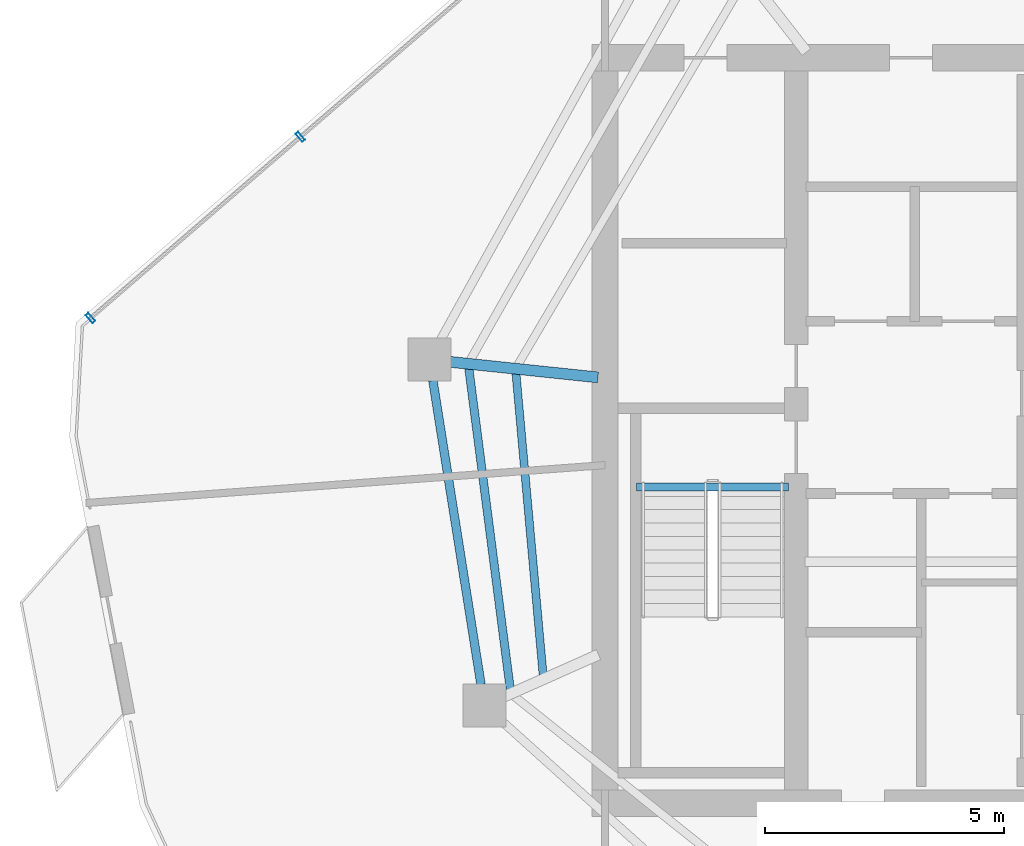
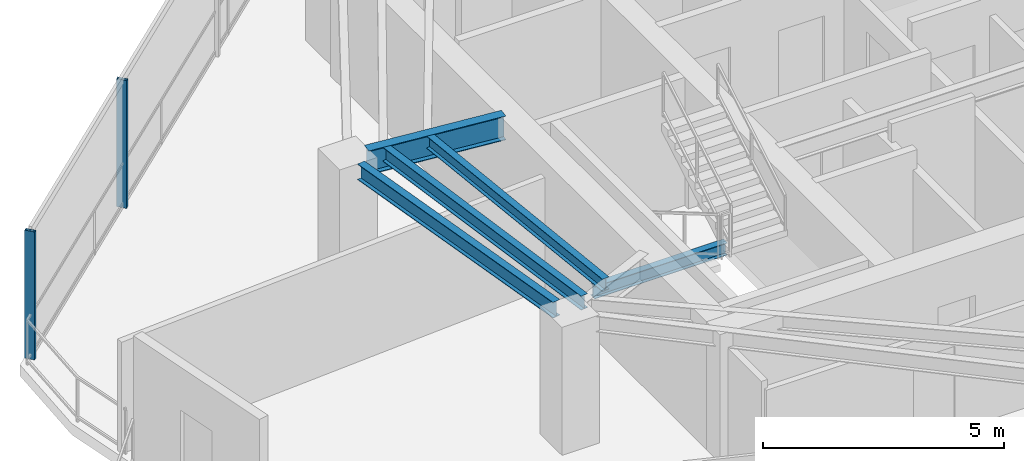
# One storey, part 6 of 18: 5 beams, 2 members, 1 element without a shape of its own.
"""IFC4 building model written with IfcOpenShell, lengths in metres."""

from ifc_helpers import new_model, si_unit, direction, frame, origin, origin_2d, place, context, subcontext, project, spatial, hollow_rectangle, i_section, extrude, material, layer, layer_set, material_profile, profile_set, type_object, element, aggregate, save


model = new_model("IFC4")

# Units and contexts
model_context = context("Model", 3, precision=1e-05, world=origin(), true_north=direction((0.0, 1.0)))
body_context = subcontext(model_context, "Body", "Model", "MODEL_VIEW")
ifc_project = project(units=[si_unit("LENGTHUNIT", "METRE"), si_unit("AREAUNIT", "SQUARE_METRE"), si_unit("VOLUMEUNIT", "CUBIC_METRE"), si_unit("PLANEANGLEUNIT", "RADIAN"), si_unit("MASSUNIT", "GRAM", prefix="KILO")], contexts=[model_context])

# Site, building, storey
site_placement = place(None, origin())
site = spatial("IfcSite", under=ifc_project, at=site_placement, CompositionType="ELEMENT")
building_placement = place(site_placement, origin())
building = spatial("IfcBuilding", under=site, at=building_placement, Name="Qarnah Convention Tower", CompositionType="ELEMENT")
storey_placement = place(building_placement, frame((0.0, 0.0, 220.199951171875)))
storey = spatial("IfcBuildingStorey", under=building, at=storey_placement, Name="L59", CompositionType="ELEMENT", Elevation=220.199951171875)

# Beams
ifc_material_1 = material(Name="Structural steel S355JR", Category="steel")
ifc_material_profile_1 = material_profile(ifc_material_1, i_section(OverallWidth=0.166015625, OverallDepth=0.31201171875, WebThickness=0.007080078125, FlangeThickness=0.010986328125, at=origin_2d()), Name="W310X45")
ifc_profile_set_1 = profile_set([ifc_material_profile_1], Name="Structural steel S355JR")
beam_type_1 = type_object("IfcBeamType", Name="BM-JST-W310", PredefinedType="JOIST", material=ifc_profile_set_1)
beam_1_placement = place(storey_placement, frame((27.4599609375, 25.217041015625, -0.156005859375), z_axis=(1.0, 0.0, 0.0), x_axis=(0.0, 1.0, 0.0)))
element("IfcBeam", 1, at=beam_1_placement, inside=storey, type_object=beam_type_1, Name="L59 stair landing trimmer beam BM-L59-ST1-TRM", PredefinedType="BEAM", context=body_context, shape_type="SweptSolid", body=[
    extrude(i_section(OverallWidth=0.166015625, OverallDepth=0.31201171875, WebThickness=0.007080078125, FlangeThickness=0.010986328125, at=origin_2d()), origin(), (0.0, 0.0, 1.0), 3.179931640625),
])
beam_2_placement = place(storey_placement, frame((24.93505859375, 27.60009765625, 3.083984375), z_axis=(0.089573904604, -0.995980178324, 0.0), x_axis=(0.995980178324, 0.089573904604, 0.0)))
element("IfcBeam", 2, at=beam_2_placement, inside=storey, type_object=beam_type_1, Name="L59 joist BM-L59-IJST-05", PredefinedType="JOIST", context=body_context, shape_type="SweptSolid", body=[
    extrude(i_section(OverallWidth=0.166015625, OverallDepth=0.31201171875, WebThickness=0.007080078125, FlangeThickness=0.010986328125, at=origin_2d()), origin(), (0.0, 0.0, 1.0), 6.339599609375),
])
ifc_material_profile_2 = material_profile(ifc_material_1, i_section(OverallWidth=0.172119140625, OverallDepth=0.35595703125, WebThickness=0.007080078125, FlangeThickness=0.011962890625, at=origin_2d()), Name="W360X51")
ifc_profile_set_2 = profile_set([ifc_material_profile_2], Name="Structural steel S355JR")
beam_type_2 = type_object("IfcBeamType", Name="BM-JST-W360", PredefinedType="JOIST", material=ifc_profile_set_2)
beam_3_placement = place(storey_placement, frame((23.947998046875, 27.705078125, 3.06201171875), z_axis=(0.128155286171, -0.991754113995, 0.0), x_axis=(0.991754113995, 0.128155286171, 0.0)))
element("IfcBeam", 3, at=beam_3_placement, inside=storey, type_object=beam_type_2, Name="L59 joist BM-L59-SJST-05", PredefinedType="JOIST", context=body_context, shape_type="SweptSolid", body=[
    extrude(i_section(OverallWidth=0.172119140625, OverallDepth=0.35595703125, WebThickness=0.007080078125, FlangeThickness=0.011962890625, at=origin_2d()), origin(), (0.0, 0.0, 1.0), 6.780029296875),
])
ifc_material_profile_3 = material_profile(ifc_material_1, i_section(OverallWidth=0.22802734375, OverallDepth=0.60791015625, WebThickness=0.010986328125, FlangeThickness=0.01708984375, at=origin_2d()), Name="W610X113")
ifc_profile_set_3 = profile_set([ifc_material_profile_3], Name="Structural steel S355JR")
beam_type_3 = type_object("IfcBeamType", Name="BM-RAD-W610B", PredefinedType="BEAM", material=ifc_profile_set_3)
beam_4_placement = place(storey_placement, frame((26.65087890625, 27.509033203125, 2.93603515625), z_axis=(-0.99453335923, 0.104419334317, 0.0), x_axis=(-0.104419334317, -0.99453335923, 0.0)))
element("IfcBeam", 4, at=beam_4_placement, inside=storey, type_object=beam_type_3, Name="L59 beam BM-L59-RAD-05", PredefinedType="BEAM", context=body_context, shape_type="SweptSolid", body=[
    extrude(i_section(OverallWidth=0.22802734375, OverallDepth=0.60791015625, WebThickness=0.010986328125, FlangeThickness=0.01708984375, at=origin_2d()), origin(), (0.0, 0.0, 1.0), 3.112060546875),
])
ifc_material_profile_4 = material_profile(ifc_material_1, i_section(OverallWidth=0.179931640625, OverallDepth=0.39990234375, WebThickness=0.009033203125, FlangeThickness=0.013916015625, at=origin_2d()), Name="IPE400")
ifc_profile_set_4 = profile_set([ifc_material_profile_4], Name="Structural steel S355JR")
beam_type_4 = type_object("IfcBeamType", Name="BM-SPN-IPE400", PredefinedType="SPANDREL", material=ifc_profile_set_4)
beam_5_placement = place(storey_placement, frame((23.197021484375, 27.444091796875, 3.0400390625), z_axis=(0.156301127146, -0.987709450017, 0.0), x_axis=(0.987709450017, 0.156301127146, 0.0)))
element("IfcBeam", 5, at=beam_5_placement, inside=storey, type_object=beam_type_4, Name="L59 spandrel BM-L59-SPN-05", PredefinedType="SPANDREL", context=body_context, shape_type="SweptSolid", body=[
    extrude(i_section(OverallWidth=0.179931640625, OverallDepth=0.39990234375, WebThickness=0.009033203125, FlangeThickness=0.013916015625, at=origin_2d()), origin(), (0.0, 0.0, 1.0), 6.443115234375),
])

# Curtain wall, members
ifc_material_2 = material(Name="Tempered Low-E dark glass", Category="glass")
ifc_layer = layer(ifc_material_2, 0.174072265625)
ifc_layer_set = layer_set([ifc_layer], Name="Tempered Low-E dark glass")
curtain_wall_type = type_object("IfcCurtainWallType", Name="CWS-04", PredefinedType="NOTDEFINED", material=ifc_layer_set)
curtain_wall_placement = place(storey_placement, origin())
curtain_wall = element("IfcCurtainWall", 6, at=curtain_wall_placement, inside=storey, type_object=curtain_wall_type, Name="L59 unitised curtain wall CW-L59-F1", PredefinedType="NOTDEFINED")
ifc_material_3 = material(Name="Black anodised aluminium", Category="aluminium")
ifc_material_profile_5 = material_profile(ifc_material_3, hollow_rectangle(XDim=0.074951171875, YDim=0.219970703125, WallThickness=0.0048828125, at=origin_2d()), Name="MUL-75X220")
ifc_profile_set_5 = profile_set([ifc_material_profile_5], Name="Black anodised aluminium")
member_type = type_object("IfcMemberType", Name="MUL-T4", PredefinedType="MULLION", material=ifc_profile_set_5)
member_1_placement = place(storey_placement, frame((16.032958984375, 28.75390625, 0.0), z_axis=(0.0, 0.0, 1.0), x_axis=(0.756975759177, 0.653442958504, 0.0)))
member_1 = element("IfcMember", 7, at=member_1_placement, type_object=member_type, Name="CW-L59-F1 mullion 1", PredefinedType="MULLION", context=body_context, shape_type="SweptSolid", body=[
    extrude(hollow_rectangle(XDim=0.074951171875, YDim=0.219970703125, WallThickness=0.0048828125, at=origin_2d()), origin(), (0.0, 0.0, 1.0), 3.239990234375),
])
member_2_placement = place(storey_placement, frame((20.4228515625, 32.54345703125, 0.0), z_axis=(0.0, 0.0, 1.0), x_axis=(0.756975759177, 0.653442958504, 0.0)))
member_2 = element("IfcMember", 8, at=member_2_placement, type_object=member_type, Name="CW-L59-F1 mullion 2", PredefinedType="MULLION", context=body_context, shape_type="SweptSolid", body=[
    extrude(hollow_rectangle(XDim=0.074951171875, YDim=0.219970703125, WallThickness=0.0048828125, at=origin_2d()), origin(), (0.0, 0.0, 1.0), 3.239990234375),
])
aggregate(curtain_wall, [member_1, member_2])

save(model, "model.ifc")
